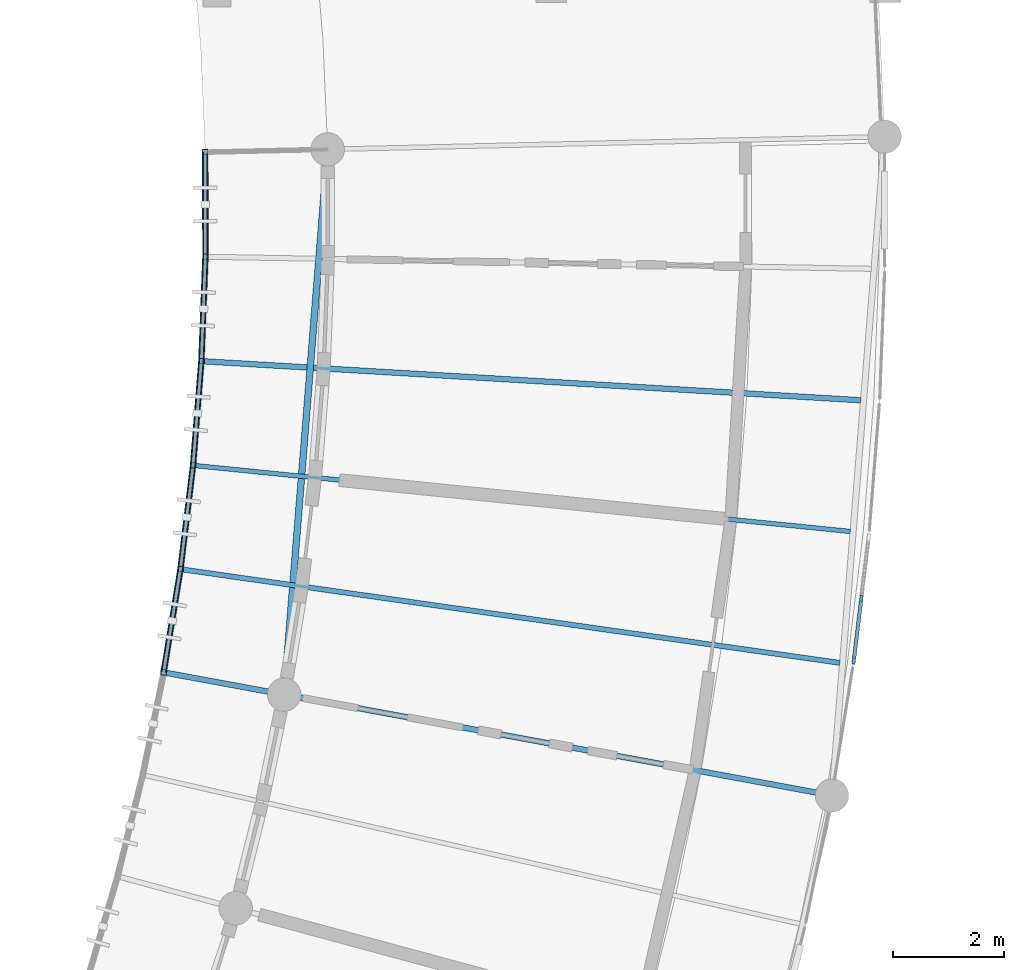
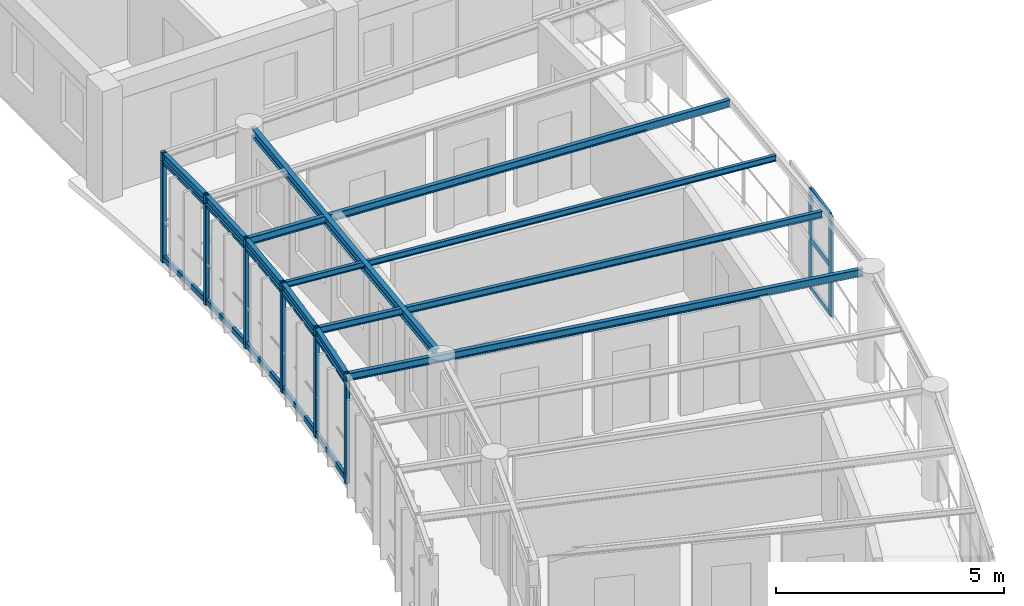
# One storey, part 23 of 101: 21 members, 10 beams, 1 element without a shape of its own.
"""IFC4 building model written with IfcOpenShell, lengths in metres."""

from ifc_helpers import new_model, si_unit, direction, frame, origin, origin_2d, place, context, subcontext, project, spatial, rectangle, hollow_rectangle, i_section, extrude, material, layer, layer_set, material_profile, profile_set, type_object, element, aggregate, save


model = new_model("IFC4")

# Units and contexts
model_context = context("Model", 3, precision=1e-05, world=origin(), true_north=direction((0.0, 1.0)))
body_context = subcontext(model_context, "Body", "Model", "MODEL_VIEW")
ifc_project = project(units=[si_unit("LENGTHUNIT", "METRE"), si_unit("AREAUNIT", "SQUARE_METRE"), si_unit("VOLUMEUNIT", "CUBIC_METRE"), si_unit("PLANEANGLEUNIT", "RADIAN"), si_unit("MASSUNIT", "GRAM", prefix="KILO"), si_unit("POWERUNIT", "WATT"), si_unit("THERMODYNAMICTEMPERATUREUNIT", "KELVIN")], contexts=[model_context])

# Site, building, storey
site_placement = place(None, origin())
site = spatial("IfcSite", under=ifc_project, at=site_placement, CompositionType="ELEMENT")
building_placement = place(site_placement, origin())
building = spatial("IfcBuilding", under=site, at=building_placement, Name="Ruvembo Vaulted Housing Court", CompositionType="ELEMENT")
storey_placement = place(building_placement, frame((0.0, 0.0, 17.300048828125)))
storey = spatial("IfcBuildingStorey", under=building, at=storey_placement, Name="L05", CompositionType="ELEMENT", Elevation=17.300048828125)

# Beams
ifc_material_1 = material(Name="Steel S355J2", Category="steel")
ifc_material_profile_1 = material_profile(ifc_material_1, i_section(OverallWidth=0.08203125, OverallDepth=0.159912109375, WebThickness=0.0048828125, FlangeThickness=0.00732421875, FilletRadius=0.009033203125, at=origin_2d()), Name="IPE 160")
ifc_profile_set_1 = profile_set([ifc_material_profile_1], Name="Steel S355J2")
beam_type_1 = type_object("IfcBeamType", Name="BM-ST-IPE160", PredefinedType="JOIST", material=ifc_profile_set_1)
beam_1_placement = place(storey_placement, frame((59.368896484375, 68.234130859375, 2.85205078125), z_axis=(-0.994986269959, 0.100011612287, 0.0), x_axis=(-0.100011612287, -0.994986269959, 0.0)))
element("IfcBeam", 1, at=beam_1_placement, inside=storey, type_object=beam_type_1, Name="Scoop SC1 L05 Radial Steel Joist 16", PredefinedType="JOIST", context=body_context, shape_type="SweptSolid", body=[
    extrude(i_section(OverallWidth=0.08203125, OverallDepth=0.159912109375, WebThickness=0.0048828125, FlangeThickness=0.00732421875, FilletRadius=0.009033203125, at=origin_2d()), origin(), (0.0, 0.0, 1.0), 11.89794921875),
])
ifc_material_profile_2 = material_profile(ifc_material_1, i_section(OverallWidth=0.091064453125, OverallDepth=0.179931640625, WebThickness=0.00537109375, FlangeThickness=0.008056640625, FilletRadius=0.009033203125, at=origin_2d()), Name="IPE 180")
ifc_profile_set_2 = profile_set([ifc_material_profile_2], Name="Steel S355J2")
beam_type_2 = type_object("IfcBeamType", Name="BM-ST-IPE180", PredefinedType="JOIST", material=ifc_profile_set_2)
beam_2_placement = place(storey_placement, frame((59.180908203125, 65.875244140625, 2.842041015625), z_axis=(-0.990057887054, 0.140660514296, 0.0), x_axis=(-0.140660514296, -0.990057887054, 0.0)))
element("IfcBeam", 2, at=beam_2_placement, inside=storey, type_object=beam_type_2, Name="Scoop SC1 L05 Radial Steel Joist 15", PredefinedType="JOIST", context=body_context, shape_type="SweptSolid", body=[
    extrude(i_section(OverallWidth=0.091064453125, OverallDepth=0.179931640625, WebThickness=0.00537109375, FlangeThickness=0.008056640625, FilletRadius=0.009033203125, at=origin_2d()), origin(), (0.0, 0.0, 1.0), 11.9951171875),
])
ifc_material_profile_3 = material_profile(ifc_material_1, i_section(OverallWidth=0.10009765625, OverallDepth=0.199951171875, WebThickness=0.005615234375, FlangeThickness=0.008544921875, FilletRadius=0.011962890625, at=origin_2d()), Name="IPE 200")
ifc_profile_set_3 = profile_set([ifc_material_profile_3], Name="Steel S355J2")
beam_type_3 = type_object("IfcBeamType", Name="BM-ST-IPE200", PredefinedType="BEAM", material=ifc_profile_set_3)
beam_3_placement = place(storey_placement, frame((58.85400390625, 63.52978515625, 2.83203125), z_axis=(-0.983463161272, 0.18110828369, 0.0), x_axis=(-0.18110828369, -0.983463161272, 0.0)))
element("IfcBeam", 3, at=beam_3_placement, inside=storey, type_object=beam_type_3, Name="Scoop SC1 L05 Radial Steel Joist 14", PredefinedType="BEAM", context=body_context, shape_type="SweptSolid", body=[
    extrude(i_section(OverallWidth=0.10009765625, OverallDepth=0.199951171875, WebThickness=0.005615234375, FlangeThickness=0.008544921875, FilletRadius=0.011962890625, at=origin_2d()), origin(), (0.0, 0.0, 1.0), 12.050048828125),
])
beam_4_placement = place(storey_placement, frame((59.55712890625, 70.589111328125, 2.83203125), z_axis=(-0.99824745237, 0.059177899908, 0.0), x_axis=(-0.059177899908, -0.99824745237, 0.0)))
element("IfcBeam", 4, at=beam_4_placement, inside=storey, type_object=beam_type_3, Name="Scoop SC1 L05 Radial Steel Joist 17", PredefinedType="BEAM", context=body_context, shape_type="SweptSolid", body=[
    extrude(i_section(OverallWidth=0.10009765625, OverallDepth=0.199951171875, WebThickness=0.005615234375, FlangeThickness=0.008544921875, FilletRadius=0.011962890625, at=origin_2d()), origin(), (0.0, 0.0, 1.0), 11.89794921875),
])
ifc_material_profile_4 = material_profile(ifc_material_1, i_section(OverallWidth=0.110107421875, OverallDepth=0.219970703125, WebThickness=0.005859375, FlangeThickness=0.00927734375, FilletRadius=0.011962890625, at=origin_2d()), Name="IPE 220")
ifc_profile_set_4 = profile_set([ifc_material_profile_4], Name="Steel S355J2")
beam_type_4 = type_object("IfcBeamType", Name="BM-ST-IPE220", PredefinedType="SPANDREL", material=ifc_profile_set_4)
beam_5_placement = place(storey_placement, frame((47.04248046875, 65.704833984375, 2.822021484375), z_axis=(0.16093792822, 0.98696452989, 0.0), x_axis=(-0.98696452989, 0.16093792822, 0.0)))
element("IfcBeam", 5, at=beam_5_placement, inside=storey, type_object=beam_type_4, Name="Scoop SC1 L05 Balcony Edge Spandrel 14", PredefinedType="SPANDREL", context=body_context, shape_type="SweptSolid", body=[
    extrude(i_section(OverallWidth=0.110107421875, OverallDepth=0.219970703125, WebThickness=0.005859375, FlangeThickness=0.00927734375, FilletRadius=0.011962890625, at=origin_2d()), origin(), (0.0, 0.0, 1.0), 1.87646484375),
])
for number, where, z_axis, x_axis, name in (
    (6, (47.344482421875, 67.556884765625, 2.822021484375), (0.120335252624, 0.992733311104, 0.0), (-0.992733311104, 0.120335252624, 0.0), "Scoop SC1 L05 Balcony Edge Spandrel 15"),
    (7, (47.5703125, 69.419921875, 2.822021484375), (0.079610795565, 0.996826023552, 0.0), (-0.996826023552, 0.079610795565, 0.0), "Scoop SC1 L05 Balcony Edge Spandrel 16"),
    (8, (47.7197265625, 71.290771484375, 2.822021484375), (0.038767865725, 0.999248243725, 0.0), (-0.999248243725, 0.038767865725, 0.0), "Scoop SC1 L05 Balcony Edge Spandrel 17"),
):
    element("IfcBeam", number, at=place(storey_placement, frame(where, z_axis=z_axis, x_axis=x_axis)), inside=storey, type_object=beam_type_4, Name=name, PredefinedType="SPANDREL", context=body_context, shape_type="SweptSolid", body=[
        extrude(i_section(OverallWidth=0.110107421875, OverallDepth=0.219970703125, WebThickness=0.005859375, FlangeThickness=0.00927734375, FilletRadius=0.011962890625, at=origin_2d()), origin(), (0.0, 0.0, 1.0), 1.876708984375),
    ])
beam_6_placement = place(storey_placement, frame((47.79248046875, 73.166015625, 2.822021484375), z_axis=(-0.002341913952, 0.999997257716, 0.0), x_axis=(-0.999997257716, -0.002341913952, 0.0)))
element("IfcBeam", 9, at=beam_6_placement, inside=storey, type_object=beam_type_4, Name="Scoop SC1 L05 Balcony Edge Spandrel 18", PredefinedType="SPANDREL", context=body_context, shape_type="SweptSolid", body=[
    extrude(i_section(OverallWidth=0.110107421875, OverallDepth=0.219970703125, WebThickness=0.005859375, FlangeThickness=0.00927734375, FilletRadius=0.011962890625, at=origin_2d()), origin(), (0.0, 0.0, 1.0), 1.87646484375),
])
ifc_material_profile_5 = material_profile(ifc_material_1, i_section(OverallWidth=0.1201171875, OverallDepth=0.239990234375, WebThickness=0.006103515625, FlangeThickness=0.009765625, FilletRadius=0.014892578125, at=origin_2d()), Name="IPE 240")
ifc_profile_set_5 = profile_set([ifc_material_profile_5], Name="Steel S355J2")
beam_type_5 = type_object("IfcBeamType", Name="BM-ST-IPE240", PredefinedType="BEAM", material=ifc_profile_set_5)
beam_7_placement = place(storey_placement, frame((49.22119140625, 65.495849609375, 2.81396484375), z_axis=(0.079600245682, 0.996826866054, 0.0), x_axis=(-0.996826866054, 0.079600245682, 0.0)))
element("IfcBeam", 10, at=beam_7_placement, inside=storey, type_object=beam_type_5, Name="Scoop SC1 L05 Chord Girder F14", PredefinedType="BEAM", context=body_context, shape_type="SweptSolid", body=[
    extrude(i_section(OverallWidth=0.1201171875, OverallDepth=0.239990234375, WebThickness=0.006103515625, FlangeThickness=0.009765625, FilletRadius=0.014892578125, at=origin_2d()), origin(), (0.0, 0.0, 1.0), 9.4375),
])

# Curtain wall, members
ifc_material_2 = material(Name="Anodised Aluminium and Solar-Control Glass", Category="aluminium")
ifc_layer = layer(ifc_material_2, 0.1201171875, Name="Anodised Aluminium and Solar-Control Glass")
ifc_layer_set = layer_set([ifc_layer], Name="Anodised Aluminium and Solar-Control Glass")
curtain_wall_type = type_object("IfcCurtainWallType", Name="CW-SCOOP-GAL", PredefinedType="NOTDEFINED", material=ifc_layer_set)
curtain_wall_placement = place(storey_placement, origin())
curtain_wall = element("IfcCurtainWall", 11, at=curtain_wall_placement, inside=storey, type_object=curtain_wall_type, Name="L05 Curtain Wall CW-L05-0028", PredefinedType="NOTDEFINED")
ifc_material_3 = material(Name="Anodised Aluminium 6063-T6", Category="aluminium")
ifc_material_profile_6 = material_profile(ifc_material_3, rectangle(XDim=0.06005859375, YDim=0.139892578125, at=origin_2d()), Name="ALU 60x140")
ifc_profile_set_6 = profile_set([ifc_material_profile_6], Name="Anodised Aluminium 6063-T6")
member_type_1 = type_object("IfcMemberType", Name="CW-MUL-60x140", PredefinedType="MULLION", material=ifc_profile_set_6)
member_1_placement = place(storey_placement, frame((59.432861328125, 65.920166015625, 0.0), z_axis=(0.0, 0.0, 1.0), x_axis=(-0.992725352187, 0.12040089337, 0.0)))
member_1 = element("IfcMember", 12, at=member_1_placement, type_object=member_type_1, Name="CW6 mullion 1", PredefinedType="MULLION", context=body_context, shape_type="SweptSolid", body=[
    extrude(rectangle(XDim=0.06005859375, YDim=0.139892578125, at=origin_2d()), origin(), (0.0, 0.0, 1.0), 2.68994140625),
])
member_2_placement = place(storey_placement, frame((59.566162109375, 67.0205078125, 0.0), z_axis=(0.0, 0.0, 1.0), x_axis=(-0.992725352187, 0.12040089337, 0.0)))
member_2 = element("IfcMember", 13, at=member_2_placement, type_object=member_type_1, Name="CW6 mullion 2", PredefinedType="MULLION", context=body_context, shape_type="SweptSolid", body=[
    extrude(rectangle(XDim=0.06005859375, YDim=0.139892578125, at=origin_2d()), origin(), (0.0, 0.0, 1.0), 2.68994140625),
])
ifc_material_profile_7 = material_profile(ifc_material_3, rectangle(XDim=0.06494140625, YDim=0.135009765625, at=origin_2d()), Name="ALU 65x135")
ifc_profile_set_7 = profile_set([ifc_material_profile_7], Name="Anodised Aluminium 6063-T6")
member_type_2 = type_object("IfcMemberType", Name="CW-TRN-65x135", PredefinedType="USERDEFINED", material=ifc_profile_set_7)
member_3_placement = place(storey_placement, frame((59.4365234375, 65.949951171875, 0.032470703125), z_axis=(0.120393957765, 0.992726193335, 0.0), x_axis=(-0.992726193335, 0.120393957765, 0.0)))
member_3 = element("IfcMember", 14, at=member_3_placement, type_object=member_type_2, Name="CW6 transom 1.1", ObjectType="TRANSOM", PredefinedType="USERDEFINED", context=body_context, shape_type="SweptSolid", body=[
    extrude(rectangle(XDim=0.06494140625, YDim=0.135009765625, at=origin_2d()), origin(), (0.0, 0.0, 1.0), 1.04833984375),
])
member_4_placement = place(storey_placement, frame((59.4365234375, 65.949951171875, 1.344970703125), z_axis=(0.120393957765, 0.992726193335, 0.0), x_axis=(-0.992726193335, 0.120393957765, 0.0)))
member_4 = element("IfcMember", 15, at=member_4_placement, type_object=member_type_2, Name="CW6 transom 1.2", ObjectType="TRANSOM", PredefinedType="USERDEFINED", context=body_context, shape_type="SweptSolid", body=[
    extrude(rectangle(XDim=0.06494140625, YDim=0.135009765625, at=origin_2d()), origin(), (0.0, 0.0, 1.0), 1.04833984375),
])
member_5_placement = place(storey_placement, frame((59.4365234375, 65.949951171875, 2.657470703125), z_axis=(0.120393957765, 0.992726193335, 0.0), x_axis=(-0.992726193335, 0.120393957765, 0.0)))
member_5 = element("IfcMember", 16, at=member_5_placement, type_object=member_type_2, Name="CW6 transom 1.3", ObjectType="TRANSOM", PredefinedType="USERDEFINED", context=body_context, shape_type="SweptSolid", body=[
    extrude(rectangle(XDim=0.06494140625, YDim=0.135009765625, at=origin_2d()), origin(), (0.0, 0.0, 1.0), 1.04833984375),
])
aggregate(curtain_wall, [member_1, member_2, member_3, member_4, member_5])

# Members
ifc_material_profile_8 = material_profile(ifc_material_1, hollow_rectangle(XDim=0.06005859375, YDim=0.1201171875, WallThickness=0.0048828125, InnerFilletRadius=0.0048828125, OuterFilletRadius=0.010009765625, at=origin_2d()), Name="RHS 120x60x5")
ifc_profile_set_8 = profile_set([ifc_material_profile_8], Name="Steel S355J2")
member_type_3 = type_object("IfcMemberType", Name="MEM-CAR-RHS120", PredefinedType="CHORD", material=ifc_profile_set_8)
member_6_placement = place(storey_placement, frame((47.04248046875, 65.704833984375, 2.655029296875), z_axis=(0.16093792822, 0.98696452989, 0.0), x_axis=(-0.98696452989, 0.16093792822, 0.0)))
element("IfcMember", 17, at=member_6_placement, inside=storey, type_object=member_type_3, Name="Scoop SC1 L05 Upper Louvre Carrier Rail 14", PredefinedType="CHORD", context=body_context, shape_type="SweptSolid", body=[
    extrude(hollow_rectangle(XDim=0.06005859375, YDim=0.1201171875, WallThickness=0.0048828125, InnerFilletRadius=0.0048828125, OuterFilletRadius=0.010009765625, at=origin_2d()), origin(), (0.0, 0.0, 1.0), 1.87646484375),
])
for number, where, z_axis, x_axis, name in (
    (18, (47.344482421875, 67.556884765625, 2.655029296875), (0.120335252624, 0.992733311104, 0.0), (-0.992733311104, 0.120335252624, 0.0), "Scoop SC1 L05 Upper Louvre Carrier Rail 15"),
    (19, (47.5703125, 69.419921875, 2.655029296875), (0.079610795565, 0.996826023552, 0.0), (-0.996826023552, 0.079610795565, 0.0), "Scoop SC1 L05 Upper Louvre Carrier Rail 16"),
    (20, (47.7197265625, 71.290771484375, 2.655029296875), (0.038767865725, 0.999248243725, 0.0), (-0.999248243725, 0.038767865725, 0.0), "Scoop SC1 L05 Upper Louvre Carrier Rail 17"),
):
    element("IfcMember", number, at=place(storey_placement, frame(where, z_axis=z_axis, x_axis=x_axis)), inside=storey, type_object=member_type_3, Name=name, PredefinedType="CHORD", context=body_context, shape_type="SweptSolid", body=[
        extrude(hollow_rectangle(XDim=0.06005859375, YDim=0.1201171875, WallThickness=0.0048828125, InnerFilletRadius=0.0048828125, OuterFilletRadius=0.010009765625, at=origin_2d()), origin(), (0.0, 0.0, 1.0), 1.876708984375),
    ])
member_7_placement = place(storey_placement, frame((47.79248046875, 73.166015625, 2.655029296875), z_axis=(-0.002341913952, 0.999997257716, 0.0), x_axis=(-0.999997257716, -0.002341913952, 0.0)))
element("IfcMember", 21, at=member_7_placement, inside=storey, type_object=member_type_3, Name="Scoop SC1 L05 Upper Louvre Carrier Rail 18", PredefinedType="CHORD", context=body_context, shape_type="SweptSolid", body=[
    extrude(hollow_rectangle(XDim=0.06005859375, YDim=0.1201171875, WallThickness=0.0048828125, InnerFilletRadius=0.0048828125, OuterFilletRadius=0.010009765625, at=origin_2d()), origin(), (0.0, 0.0, 1.0), 1.87646484375),
])
ifc_material_profile_9 = material_profile(ifc_material_1, hollow_rectangle(XDim=0.080078125, YDim=0.14990234375, WallThickness=0.00634765625, InnerFilletRadius=0.00634765625, OuterFilletRadius=0.0126953125, at=origin_2d()), Name="RHS 150x80x6.3")
ifc_profile_set_9 = profile_set([ifc_material_profile_9], Name="Steel S355J2")
member_type_4 = type_object("IfcMemberType", Name="MEM-CAR-RHS150", PredefinedType="CHORD", material=ifc_profile_set_9)
member_8_placement = place(storey_placement, frame((47.04248046875, 65.704833984375, 0.094970703125), z_axis=(0.16093792822, 0.98696452989, 0.0), x_axis=(-0.98696452989, 0.16093792822, 0.0)))
element("IfcMember", 22, at=member_8_placement, inside=storey, type_object=member_type_4, Name="Scoop SC1 L05 Lower Louvre Carrier Rail 14", PredefinedType="CHORD", context=body_context, shape_type="SweptSolid", body=[
    extrude(hollow_rectangle(XDim=0.080078125, YDim=0.14990234375, WallThickness=0.00634765625, InnerFilletRadius=0.00634765625, OuterFilletRadius=0.0126953125, at=origin_2d()), origin(), (0.0, 0.0, 1.0), 1.87646484375),
])
for number, where, z_axis, x_axis, name in (
    (23, (47.344482421875, 67.556884765625, 0.094970703125), (0.120335252624, 0.992733311104, 0.0), (-0.992733311104, 0.120335252624, 0.0), "Scoop SC1 L05 Lower Louvre Carrier Rail 15"),
    (24, (47.5703125, 69.419921875, 0.094970703125), (0.079610795565, 0.996826023552, 0.0), (-0.996826023552, 0.079610795565, 0.0), "Scoop SC1 L05 Lower Louvre Carrier Rail 16"),
    (25, (47.7197265625, 71.290771484375, 0.094970703125), (0.038767865725, 0.999248243725, 0.0), (-0.999248243725, 0.038767865725, 0.0), "Scoop SC1 L05 Lower Louvre Carrier Rail 17"),
):
    element("IfcMember", number, at=place(storey_placement, frame(where, z_axis=z_axis, x_axis=x_axis)), inside=storey, type_object=member_type_4, Name=name, PredefinedType="CHORD", context=body_context, shape_type="SweptSolid", body=[
        extrude(hollow_rectangle(XDim=0.080078125, YDim=0.14990234375, WallThickness=0.00634765625, InnerFilletRadius=0.00634765625, OuterFilletRadius=0.0126953125, at=origin_2d()), origin(), (0.0, 0.0, 1.0), 1.876708984375),
    ])
member_9_placement = place(storey_placement, frame((47.79248046875, 73.166015625, 0.094970703125), z_axis=(-0.002341913952, 0.999997257716, 0.0), x_axis=(-0.999997257716, -0.002341913952, 0.0)))
element("IfcMember", 26, at=member_9_placement, inside=storey, type_object=member_type_4, Name="Scoop SC1 L05 Lower Louvre Carrier Rail 18", PredefinedType="CHORD", context=body_context, shape_type="SweptSolid", body=[
    extrude(hollow_rectangle(XDim=0.080078125, YDim=0.14990234375, WallThickness=0.00634765625, InnerFilletRadius=0.00634765625, OuterFilletRadius=0.0126953125, at=origin_2d()), origin(), (0.0, 0.0, 1.0), 1.87646484375),
])
ifc_material_profile_10 = material_profile(ifc_material_1, hollow_rectangle(XDim=0.10009765625, YDim=0.10009765625, WallThickness=0.00634765625, InnerFilletRadius=0.00634765625, OuterFilletRadius=0.0126953125, at=origin_2d()), Name="SHS 100x100x6.3")
ifc_profile_set_10 = profile_set([ifc_material_profile_10], Name="Steel S355J2")
member_type_5 = type_object("IfcMemberType", Name="MEM-FRM-SHS100", PredefinedType="STRUT", material=ifc_profile_set_10)
for number, where, z_axis, x_axis, name in (
    (27, (47.04248046875, 65.704833984375, -0.01513671875), (0.0, 0.0, 1.0), (1.0, 0.0, 0.0), "Scoop SC1 L05 Louvre Frame Post 14"),
    (28, (47.344482421875, 67.556884765625, -0.01513671875), (0.0, 0.0, 1.0), (1.0, 0.0, 0.0), "Scoop SC1 L05 Louvre Frame Post 15"),
    (29, (47.5703125, 69.419921875, -0.01513671875), (0.0, 0.0, 1.0), (1.0, 0.0, 0.0), "Scoop SC1 L05 Louvre Frame Post 16"),
    (30, (47.7197265625, 71.290771484375, -0.01513671875), (0.0, 0.0, 1.0), (1.0, 0.0, 0.0), "Scoop SC1 L05 Louvre Frame Post 17"),
    (31, (47.79248046875, 73.166015625, -0.01513671875), (0.0, 0.0, 1.0), (1.0, 0.0, 0.0), "Scoop SC1 L05 Louvre Frame Post 18"),
    (32, (47.7880859375, 75.04248046875, -0.01513671875), (0.0, 0.0, 1.0), (1.0, 0.0, 0.0), "Scoop SC1 L05 Louvre End Post"),
):
    element("IfcMember", number, at=place(storey_placement, frame(where, z_axis=z_axis, x_axis=x_axis)), inside=storey, type_object=member_type_5, Name=name, PredefinedType="STRUT", context=body_context, shape_type="SweptSolid", body=[
        extrude(hollow_rectangle(XDim=0.10009765625, YDim=0.10009765625, WallThickness=0.00634765625, InnerFilletRadius=0.00634765625, OuterFilletRadius=0.0126953125, at=origin_2d()), origin(), (0.0, 0.0, 1.0), 2.953125),
    ])

save(model, "model.ifc")
